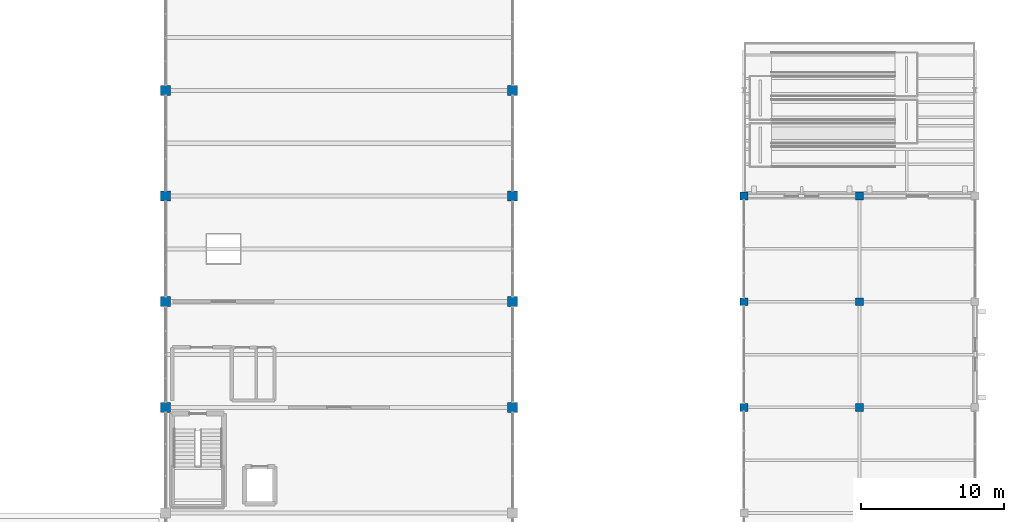
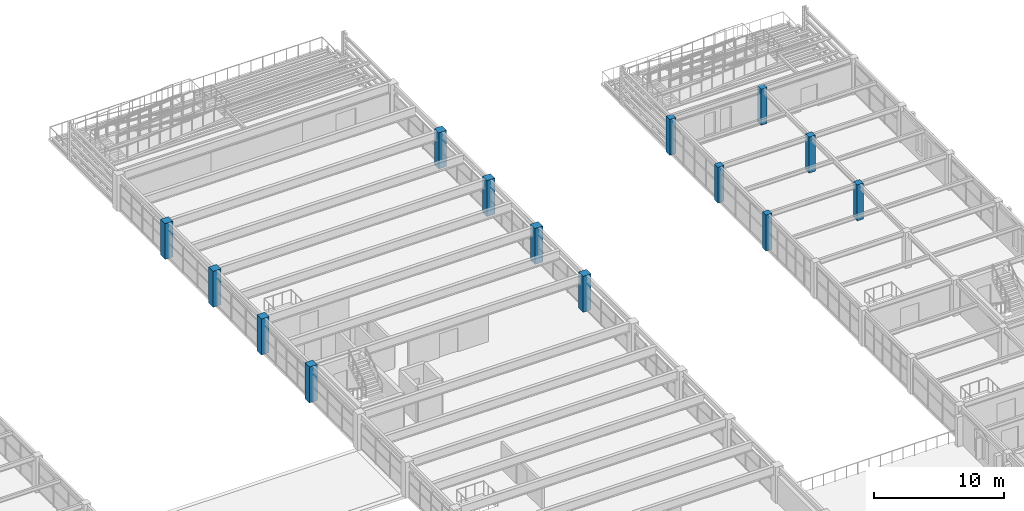
# One storey, part 4 of 121: 14 columns.
"""IFC4 building model written with IfcOpenShell, lengths in metres."""

from ifc_helpers import new_model, si_unit, direction, frame, origin, origin_2d, place, context, subcontext, project, spatial, rectangle, extrude, material, material_profile, profile_set, type_object, element, save


model = new_model("IFC4")

# Units and contexts
model_context = context("Model", 3, precision=1e-05, world=origin(), true_north=direction((0.0, 1.0)))
body_context = subcontext(model_context, "Body", "Model", "MODEL_VIEW")
ifc_project = project(units=[si_unit("LENGTHUNIT", "METRE"), si_unit("AREAUNIT", "SQUARE_METRE"), si_unit("VOLUMEUNIT", "CUBIC_METRE"), si_unit("PLANEANGLEUNIT", "RADIAN"), si_unit("MASSUNIT", "GRAM", prefix="KILO")], contexts=[model_context])

# Site, building, storey
site_placement = place(None, origin())
site = spatial("IfcSite", under=ifc_project, at=site_placement, CompositionType="ELEMENT")
building_placement = place(site_placement, origin())
building = spatial("IfcBuilding", under=site, at=building_placement, Name="Cimatlan Art Gallery", CompositionType="ELEMENT")
storey_placement = place(building_placement, frame((0.0, 0.0, 10.199951171875)))
storey = spatial("IfcBuildingStorey", under=building, at=storey_placement, Name="L02", CompositionType="ELEMENT", Elevation=10.199951171875)

# Columns
ifc_material = material(Name="Concrete C45/55", Category="concrete")
ifc_material_profile_1 = material_profile(ifc_material, rectangle(XDim=0.550048828125, YDim=0.550048828125, at=origin_2d()), Name="RC550X550")
ifc_profile_set_1 = profile_set([ifc_material_profile_1], Name="Concrete C45/55")
column_type_1 = type_object("IfcColumnType", Name="COL-RC-550", PredefinedType="COLUMN", material=ifc_profile_set_1)
for number, where, z_axis, x_axis, name in (
    (1, (115.39990234375, 68.300048828125, 0.0), (0.0, 0.0, 1.0), (1.0, 0.0, 0.0), "COL-L02-14-09"),
    (2, (115.39990234375, 75.699951171875, 0.0), (0.0, 0.0, 1.0), (1.0, 0.0, 0.0), "COL-L02-14-10"),
    (3, (115.39990234375, 83.10009765625, 0.0), (0.0, 0.0, 1.0), (1.0, 0.0, 0.0), "COL-L02-14-11"),
    (4, (123.5, 68.300048828125, 0.0), (0.0, 0.0, 1.0), (1.0, 0.0, 0.0), "COL-L02-15-09"),
    (5, (123.5, 75.699951171875, 0.0), (0.0, 0.0, 1.0), (1.0, 0.0, 0.0), "COL-L02-15-10"),
    (6, (123.5, 83.10009765625, 0.0), (0.0, 0.0, 1.0), (1.0, 0.0, 0.0), "COL-L02-15-11"),
):
    element("IfcColumn", number, at=place(storey_placement, frame(where, z_axis=z_axis, x_axis=x_axis)), inside=storey, type_object=column_type_1, Name=name, PredefinedType="COLUMN", context=body_context, shape_type="SweptSolid", body=[
        extrude(rectangle(XDim=0.550048828125, YDim=0.550048828125, at=origin_2d()), origin(), (0.0, 0.0, 1.0), 3.3701171875),
    ])
ifc_material_profile_2 = material_profile(ifc_material, rectangle(XDim=0.699951171875, YDim=0.699951171875, at=origin_2d()), Name="RC700X700")
ifc_profile_set_2 = profile_set([ifc_material_profile_2], Name="Concrete C45/55")
column_type_2 = type_object("IfcColumnType", Name="COL-RC-700", PredefinedType="COLUMN", material=ifc_profile_set_2)
for number, where, z_axis, x_axis, name in (
    (7, (74.89990234375, 68.300048828125, 0.0), (0.0, 0.0, 1.0), (1.0, 0.0, 0.0), "COL-L02-09-09"),
    (8, (74.89990234375, 75.699951171875, 0.0), (0.0, 0.0, 1.0), (1.0, 0.0, 0.0), "COL-L02-09-10"),
    (9, (74.89990234375, 83.10009765625, 0.0), (0.0, 0.0, 1.0), (1.0, 0.0, 0.0), "COL-L02-09-11"),
    (10, (74.89990234375, 90.5, 0.0), (0.0, 0.0, 1.0), (1.0, 0.0, 0.0), "COL-L02-09-12"),
    (11, (99.199951171875, 68.300048828125, 0.0), (0.0, 0.0, 1.0), (1.0, 0.0, 0.0), "COL-L02-12-09"),
    (12, (99.199951171875, 75.699951171875, 0.0), (0.0, 0.0, 1.0), (1.0, 0.0, 0.0), "COL-L02-12-10"),
    (13, (99.199951171875, 83.10009765625, 0.0), (0.0, 0.0, 1.0), (1.0, 0.0, 0.0), "COL-L02-12-11"),
    (14, (99.199951171875, 90.5, 0.0), (0.0, 0.0, 1.0), (1.0, 0.0, 0.0), "COL-L02-12-12"),
):
    element("IfcColumn", number, at=place(storey_placement, frame(where, z_axis=z_axis, x_axis=x_axis)), inside=storey, type_object=column_type_2, Name=name, PredefinedType="COLUMN", context=body_context, shape_type="SweptSolid", body=[
        extrude(rectangle(XDim=0.699951171875, YDim=0.699951171875, at=origin_2d()), origin(), (0.0, 0.0, 1.0), 3.3701171875),
    ])

save(model, "model.ifc")
